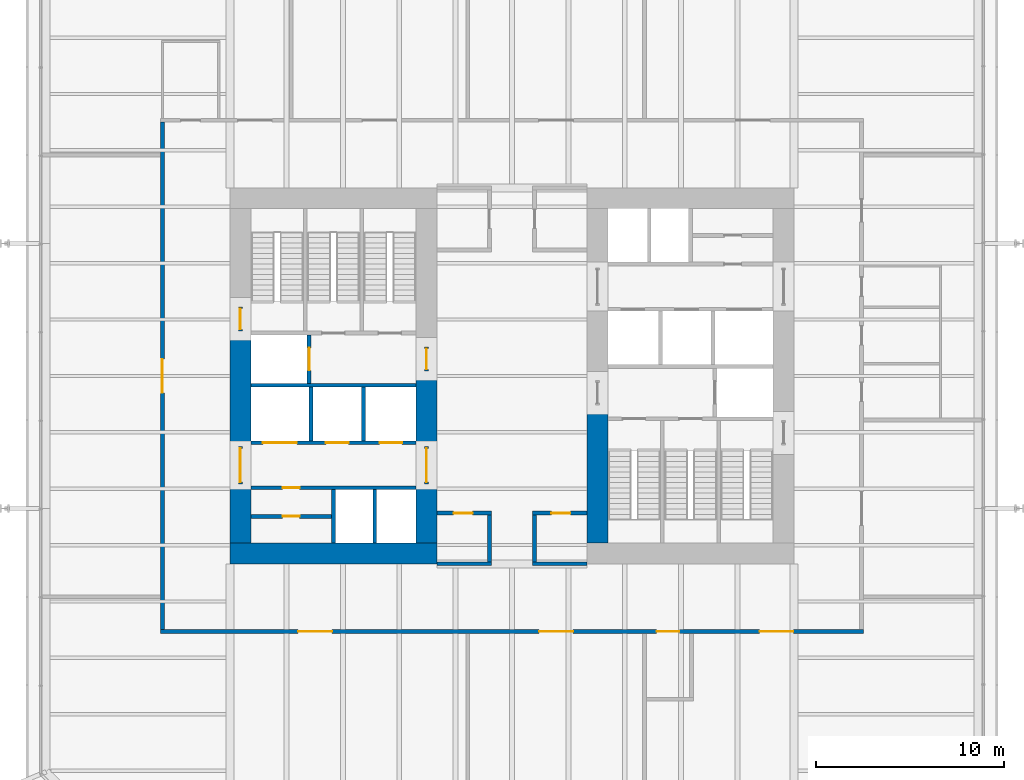
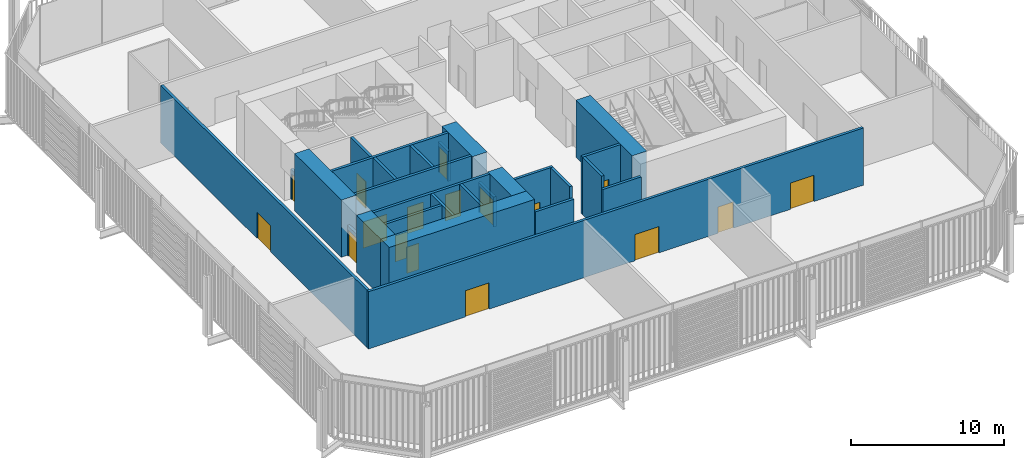
# One storey, part 18 of 22: 27 walls, 17 doors, 17 openings.
"""IFC4 building model written with IfcOpenShell, lengths in metres."""

from ifc_helpers import new_model, si_unit, direction, frame, frame_2d, origin, place, context, subcontext, project, spatial, rectangle, extrude, material, layer, layer_set, type_object, element, fill, save


model = new_model("IFC4")

# Units and contexts
model_context = context("Model", 3, precision=1e-05, world=origin(), true_north=direction((0.0, 1.0)))
body_context = subcontext(model_context, "Body", "Model", "MODEL_VIEW")
ifc_project = project(units=[si_unit("LENGTHUNIT", "METRE"), si_unit("AREAUNIT", "SQUARE_METRE"), si_unit("VOLUMEUNIT", "CUBIC_METRE"), si_unit("PLANEANGLEUNIT", "RADIAN"), si_unit("MASSUNIT", "GRAM", prefix="KILO")], contexts=[model_context])

# Site, building, storey
site_placement = place(None, origin())
site = spatial("IfcSite", under=ifc_project, at=site_placement, CompositionType="ELEMENT")
building_placement = place(site_placement, origin())
building = spatial("IfcBuilding", under=site, at=building_placement, Name="Millrace Tower", CompositionType="ELEMENT")
storey_placement = place(building_placement, frame((0.0, 0.0, 40.10009765625)))
storey = spatial("IfcBuildingStorey", under=building, at=storey_placement, Name="L09", CompositionType="ELEMENT", Elevation=40.10009765625)

# Walls
ifc_material_1 = material(Name="Concrete C80", Category="concrete")
ifc_layer_1 = layer(ifc_material_1, 1.10009765625)
ifc_layer_set_1 = layer_set([ifc_layer_1], Name="Concrete C80")
wall_type_1 = type_object("IfcWallType", Name="Core wall 1100 Concrete C80", PredefinedType="SHEAR", material=ifc_layer_set_1)
wall_1_placement = place(storey_placement, frame((-15.0, -9.449951171875, 0.0), z_axis=(0.0, 0.0, 1.0), x_axis=(1.0, 0.0, 0.0)))
element("IfcWall", 1, at=wall_1_placement, inside=storey, type_object=wall_type_1, Name="Core wall W L09", PredefinedType="SHEAR", context=body_context, shape_type="SweptSolid", body=[
    extrude(rectangle(XDim=11.0, YDim=1.10009765625, at=frame_2d((5.5, 0.0))), origin(), (0.0, 0.0, 1.0), 4.574951171875),
])
wall_2_placement = place(storey_placement, frame((-14.449951171875, -8.89990234375, 0.0), z_axis=(0.0, 0.0, 1.0), x_axis=(0.0, 1.0, 0.0)))
element("IfcWall", 2, at=wall_2_placement, inside=storey, type_object=wall_type_1, Name="Core wall W L09", PredefinedType="SHEAR", context=body_context, shape_type="SweptSolid", body=[
    extrude(rectangle(XDim=3.14990234375, YDim=1.10009765625, at=frame_2d((1.574951171875, 0.0))), origin(), (0.0, 0.0, 1.0), 4.574951171875),
])
wall_3_placement = place(storey_placement, frame((-14.449951171875, -3.75, 0.0), z_axis=(0.0, 0.0, 1.0), x_axis=(0.0, 1.0, 0.0)))
element("IfcWall", 3, at=wall_3_placement, inside=storey, type_object=wall_type_1, Name="Core wall W L09", PredefinedType="SHEAR", context=body_context, shape_type="SweptSolid", body=[
    extrude(rectangle(XDim=6.1298828125, YDim=1.10009765625, at=frame_2d((3.06494140625, 0.0))), origin(), (0.0, 0.0, 1.0), 4.574951171875),
])
wall_4_placement = place(storey_placement, frame((-4.550048828125, -8.89990234375, 0.0), z_axis=(0.0, 0.0, 1.0), x_axis=(0.0, 1.0, 0.0)))
element("IfcWall", 4, at=wall_4_placement, inside=storey, type_object=wall_type_1, Name="Core wall W L09", PredefinedType="SHEAR", context=body_context, shape_type="SweptSolid", body=[
    extrude(rectangle(XDim=3.14990234375, YDim=1.10009765625, at=frame_2d((1.574951171875, 0.0))), origin(), (0.0, 0.0, 1.0), 4.574951171875),
])
wall_5_placement = place(storey_placement, frame((-4.550048828125, -3.75, 0.0), z_axis=(0.0, 0.0, 1.0), x_axis=(0.0, 1.0, 0.0)))
element("IfcWall", 5, at=wall_5_placement, inside=storey, type_object=wall_type_1, Name="Core wall W L09", PredefinedType="SHEAR", context=body_context, shape_type="SweptSolid", body=[
    extrude(rectangle(XDim=4.0, YDim=1.10009765625, at=frame_2d((2.0, 0.0))), origin(), (0.0, 0.0, 1.0), 4.574951171875),
])
wall_6_placement = place(storey_placement, frame((4.550048828125, -1.550048828125, 0.0), z_axis=(0.0, 0.0, 1.0), x_axis=(0.0, -1.0, 0.0)))
element("IfcWall", 6, at=wall_6_placement, inside=storey, type_object=wall_type_1, Name="Core wall E L09", PredefinedType="SHEAR", context=body_context, shape_type="SweptSolid", body=[
    extrude(rectangle(XDim=7.349853515625, YDim=1.10009765625, at=frame_2d((3.6748046875, 0.0))), origin(), (0.0, 0.0, 1.0), 4.574951171875),
])

# Wall, openings, doors
ifc_material_2 = material(Name="Masonry partition, fire-rated", Category="masonry")
ifc_layer_2 = layer(ifc_material_2, 0.199951171875)
ifc_layer_set_2 = layer_set([ifc_layer_2], Name="Masonry partition, fire-rated")
wall_type_2 = type_object("IfcWallType", Name="Corridor wall 200", PredefinedType="PARTITIONING", material=ifc_layer_set_2)
wall_7_placement = place(storey_placement, frame((-18.699951171875, -13.60009765625, 0.0), z_axis=(0.0, 0.0, 1.0), x_axis=(1.0, 0.0, 0.0)))
wall_7 = element("IfcWall", 7, at=wall_7_placement, inside=storey, type_object=wall_type_2, Name="Corridor wall L09", PredefinedType="PARTITIONING", context=body_context, shape_type="SweptSolid", body=[
    extrude(rectangle(XDim=37.39990234375, YDim=0.199951171875, at=frame_2d((18.699951171875, 0.0))), origin(), (0.0, 0.0, 1.0), 4.574951171875),
])
opening_1_placement = place(wall_7_placement, frame((7.324951171875, 0.0, 0.0)))
opening_1 = element("IfcOpeningElement", 8, at=opening_1_placement, cuts=wall_7, Name="Opening 09-P005", PredefinedType="OPENING", context=body_context, shape_type="SweptSolid", body=[
    extrude(rectangle(XDim=1.800048828125, YDim=2.10009765625, at=frame_2d((0.89990234375, 1.050048828125))), frame((0.0, 0.10986328125, 0.0), z_axis=(0.0, -1.0, 0.0), x_axis=(1.0, 0.0, 0.0)), (0.0, 0.0, 1.0), 0.219970703125),
])
opening_2_placement = place(wall_7_placement, frame((20.14990234375, 0.0, 0.0)))
opening_2 = element("IfcOpeningElement", 9, at=opening_2_placement, cuts=wall_7, Name="Opening 09-P006", PredefinedType="OPENING", context=body_context, shape_type="SweptSolid", body=[
    extrude(rectangle(XDim=1.800048828125, YDim=2.10009765625, at=frame_2d((0.89990234375, 1.050048828125))), frame((0.0, 0.10986328125, 0.0), z_axis=(0.0, -1.0, 0.0), x_axis=(1.0, 0.0, 0.0)), (0.0, 0.0, 1.0), 0.219970703125),
])
opening_3_placement = place(wall_7_placement, frame((31.875, 0.0, 0.0)))
opening_3 = element("IfcOpeningElement", 10, at=opening_3_placement, cuts=wall_7, Name="Opening 09-P007", PredefinedType="OPENING", context=body_context, shape_type="SweptSolid", body=[
    extrude(rectangle(XDim=1.800048828125, YDim=2.10009765625, at=frame_2d((0.89990234375, 1.050048828125))), frame((0.0, 0.10986328125, 0.0), z_axis=(0.0, -1.0, 0.0), x_axis=(1.0, 0.0, 0.0)), (0.0, 0.0, 1.0), 0.219970703125),
])
opening_4_placement = place(wall_7_placement, frame((26.39990234375, 0.0, 0.0)))
opening_4 = element("IfcOpeningElement", 11, at=opening_4_placement, cuts=wall_7, Name="Opening 09-P008", PredefinedType="OPENING", context=body_context, shape_type="SweptSolid", body=[
    extrude(rectangle(XDim=1.199951171875, YDim=2.10009765625, at=frame_2d((0.60009765625, 1.050048828125))), frame((0.0, 0.10986328125, 0.0), z_axis=(0.0, -1.0, 0.0), x_axis=(1.0, 0.0, 0.0)), (0.0, 0.0, 1.0), 0.219970703125),
])
ifc_material_3 = material(Name="Steel door set, fire-rated", Category="steel")
door_type_1 = type_object("IfcDoorType", Name="Corridor door 1200 x 2100", OperationType="SINGLE_SWING_LEFT", PredefinedType="DOOR", material=ifc_material_3)
door_1_placement = place(opening_4_placement, frame((1.199951171875, 0.0, 0.0), z_axis=(0.0, 0.0, 1.0), x_axis=(-1.0, 0.0, 0.0)))
door_1 = element("IfcDoor", 12, at=door_1_placement, inside=storey, type_object=door_type_1, Name="Door 09-P008", OperationType="SINGLE_SWING_LEFT", OverallHeight=2.10009765625, OverallWidth=1.199951171875, PredefinedType="DOOR", context=body_context, shape_type="SweptSolid", body=[
    extrude(rectangle(XDim=1.199951171875, YDim=2.10009765625, at=frame_2d((0.60009765625, 1.050048828125))), frame((0.0, 0.02490234375, 0.0), z_axis=(0.0, -1.0, 0.0), x_axis=(1.0, 0.0, 0.0)), (0.0, 0.0, 1.0), 0.050048828125),
])
fill(opening_4, door_1)
ifc_material_4 = material(Name="Steel door set, fire-rated", Category="steel")
door_type_2 = type_object("IfcDoorType", Name="Data hall door 1800 x 2100", OperationType="DOUBLE_DOOR_SINGLE_SWING", PredefinedType="DOOR", material=ifc_material_4)
door_2_placement = place(opening_1_placement, frame((1.800048828125, 0.0, 0.0), z_axis=(0.0, 0.0, 1.0), x_axis=(-1.0, 0.0, 0.0)))
door_2 = element("IfcDoor", 13, at=door_2_placement, inside=storey, type_object=door_type_2, Name="Door 09-P005", OperationType="DOUBLE_DOOR_SINGLE_SWING", OverallHeight=2.10009765625, OverallWidth=1.800048828125, PredefinedType="DOOR", context=body_context, shape_type="SweptSolid", body=[
    extrude(rectangle(XDim=1.800048828125, YDim=2.10009765625, at=frame_2d((0.89990234375, 1.050048828125))), frame((0.0, 0.02490234375, 0.0), z_axis=(0.0, -1.0, 0.0), x_axis=(1.0, 0.0, 0.0)), (0.0, 0.0, 1.0), 0.050048828125),
])
fill(opening_1, door_2)
door_3_placement = place(opening_2_placement, frame((1.800048828125, 0.0, 0.0), z_axis=(0.0, 0.0, 1.0), x_axis=(-1.0, 0.0, 0.0)))
door_3 = element("IfcDoor", 14, at=door_3_placement, inside=storey, type_object=door_type_2, Name="Door 09-P006", OperationType="DOUBLE_DOOR_SINGLE_SWING", OverallHeight=2.10009765625, OverallWidth=1.800048828125, PredefinedType="DOOR", context=body_context, shape_type="SweptSolid", body=[
    extrude(rectangle(XDim=1.800048828125, YDim=2.10009765625, at=frame_2d((0.89990234375, 1.050048828125))), frame((0.0, 0.02490234375, 0.0), z_axis=(0.0, -1.0, 0.0), x_axis=(1.0, 0.0, 0.0)), (0.0, 0.0, 1.0), 0.050048828125),
])
fill(opening_2, door_3)
door_4_placement = place(opening_3_placement, frame((1.800048828125, 0.0, 0.0), z_axis=(0.0, 0.0, 1.0), x_axis=(-1.0, 0.0, 0.0)))
door_4 = element("IfcDoor", 15, at=door_4_placement, inside=storey, type_object=door_type_2, Name="Door 09-P007", OperationType="DOUBLE_DOOR_SINGLE_SWING", OverallHeight=2.10009765625, OverallWidth=1.800048828125, PredefinedType="DOOR", context=body_context, shape_type="SweptSolid", body=[
    extrude(rectangle(XDim=1.800048828125, YDim=2.10009765625, at=frame_2d((0.89990234375, 1.050048828125))), frame((0.0, 0.02490234375, 0.0), z_axis=(0.0, -1.0, 0.0), x_axis=(1.0, 0.0, 0.0)), (0.0, 0.0, 1.0), 0.050048828125),
])
fill(opening_3, door_4)

# Walls
for number, where, z_axis, x_axis, name in (
    (16, (-4.0, -10.0, 0.0), (0.0, 0.0, 1.0), (1.0, 0.0, 0.0), "Corridor wall L09"),
    (17, (1.10009765625, -10.0, 0.0), (0.0, 0.0, 1.0), (1.0, 0.0, 0.0), "Corridor wall L09"),
):
    element("IfcWall", number, at=place(storey_placement, frame(where, z_axis=z_axis, x_axis=x_axis)), inside=storey, type_object=wall_type_2, Name=name, PredefinedType="PARTITIONING", context=body_context, shape_type="SweptSolid", body=[
        extrude(rectangle(XDim=2.89990234375, YDim=0.199951171875, at=frame_2d((1.449951171875, 0.0))), origin(), (0.0, 0.0, 1.0), 3.62744140625),
    ])

# Wall, opening, door
wall_8_placement = place(storey_placement, frame((-4.0, -7.300048828125, 0.0), z_axis=(0.0, 0.0, 1.0), x_axis=(1.0, 0.0, 0.0)))
wall_8 = element("IfcWall", 18, at=wall_8_placement, inside=storey, type_object=wall_type_2, Name="Corridor wall L09", PredefinedType="PARTITIONING", context=body_context, shape_type="SweptSolid", body=[
    extrude(rectangle(XDim=2.89990234375, YDim=0.199951171875, at=frame_2d((1.449951171875, 0.0))), origin(), (0.0, 0.0, 1.0), 4.574951171875),
])
opening_5_placement = place(wall_8_placement, frame((0.89990234375, 0.0, 0.0)))
opening_5 = element("IfcOpeningElement", 19, at=opening_5_placement, cuts=wall_8, Name="Opening 09-P003", PredefinedType="OPENING", context=body_context, shape_type="SweptSolid", body=[
    extrude(rectangle(XDim=1.0, YDim=2.10009765625, at=frame_2d((0.5, 1.050048828125))), frame((0.0, 0.10986328125, 0.0), z_axis=(0.0, -1.0, 0.0), x_axis=(1.0, 0.0, 0.0)), (0.0, 0.0, 1.0), 0.219970703125),
])
ifc_material_5 = material(Name="Steel door set, fire-rated", Category="steel")
door_type_3 = type_object("IfcDoorType", Name="Corridor door 1000 x 2100", OperationType="SINGLE_SWING_LEFT", PredefinedType="DOOR", material=ifc_material_5)
door_5_placement = place(opening_5_placement, frame((1.0, 0.0, 0.0), z_axis=(0.0, 0.0, 1.0), x_axis=(-1.0, 0.0, 0.0)))
door_5 = element("IfcDoor", 20, at=door_5_placement, inside=storey, type_object=door_type_3, Name="Door 09-P003", OperationType="SINGLE_SWING_LEFT", OverallHeight=2.10009765625, OverallWidth=1.0, PredefinedType="DOOR", context=body_context, shape_type="SweptSolid", body=[
    extrude(rectangle(XDim=1.0, YDim=2.10009765625, at=frame_2d((0.5, 1.050048828125))), frame((0.0, 0.02490234375, 0.0), z_axis=(0.0, -1.0, 0.0), x_axis=(1.0, 0.0, 0.0)), (0.0, 0.0, 1.0), 0.050048828125),
])
fill(opening_5, door_5)

wall_9_placement = place(storey_placement, frame((1.10009765625, -7.300048828125, 0.0), z_axis=(0.0, 0.0, 1.0), x_axis=(1.0, 0.0, 0.0)))
wall_9 = element("IfcWall", 21, at=wall_9_placement, inside=storey, type_object=wall_type_2, Name="Corridor wall L09", PredefinedType="PARTITIONING", context=body_context, shape_type="SweptSolid", body=[
    extrude(rectangle(XDim=2.89990234375, YDim=0.199951171875, at=frame_2d((1.449951171875, 0.0))), origin(), (0.0, 0.0, 1.0), 4.574951171875),
])
opening_6_placement = place(wall_9_placement, frame((1.0, 0.0, 0.0)))
opening_6 = element("IfcOpeningElement", 22, at=opening_6_placement, cuts=wall_9, Name="Opening 09-P004", PredefinedType="OPENING", context=body_context, shape_type="SweptSolid", body=[
    extrude(rectangle(XDim=1.0, YDim=2.10009765625, at=frame_2d((0.5, 1.050048828125))), frame((0.0, 0.10986328125, 0.0), z_axis=(0.0, -1.0, 0.0), x_axis=(1.0, 0.0, 0.0)), (0.0, 0.0, 1.0), 0.219970703125),
])
door_6_placement = place(opening_6_placement, frame((1.0, 0.0, 0.0), z_axis=(0.0, 0.0, 1.0), x_axis=(-1.0, 0.0, 0.0)))
door_6 = element("IfcDoor", 23, at=door_6_placement, inside=storey, type_object=door_type_3, Name="Door 09-P004", OperationType="SINGLE_SWING_LEFT", OverallHeight=2.10009765625, OverallWidth=1.0, PredefinedType="DOOR", context=body_context, shape_type="SweptSolid", body=[
    extrude(rectangle(XDim=1.0, YDim=2.10009765625, at=frame_2d((0.5, 1.050048828125))), frame((0.0, 0.02490234375, 0.0), z_axis=(0.0, -1.0, 0.0), x_axis=(1.0, 0.0, 0.0)), (0.0, 0.0, 1.0), 0.050048828125),
])
fill(opening_6, door_6)

# Walls
for number, where, z_axis, x_axis, name in (
    (24, (1.199951171875, -9.89990234375, 0.0), (0.0, 0.0, 1.0), (0.0, 1.0, 0.0), "Corridor wall L09"),
    (25, (-1.199951171875, -9.89990234375, 0.0), (0.0, 0.0, 1.0), (0.0, 1.0, 0.0), "Corridor wall L09"),
):
    element("IfcWall", number, at=place(storey_placement, frame(where, z_axis=z_axis, x_axis=x_axis)), inside=storey, type_object=wall_type_2, Name=name, PredefinedType="PARTITIONING", context=body_context, shape_type="SweptSolid", body=[
        extrude(rectangle(XDim=2.5, YDim=0.199951171875, at=frame_2d((1.25, 0.0))), origin(), (0.0, 0.0, 1.0), 4.574951171875),
    ])

# Wall, opening, door
wall_10_placement = place(storey_placement, frame((-18.60009765625, -13.5, 0.0), z_axis=(0.0, 0.0, 1.0), x_axis=(0.0, 1.0, 0.0)))
wall_10 = element("IfcWall", 26, at=wall_10_placement, inside=storey, type_object=wall_type_2, Name="Corridor wall L09", PredefinedType="PARTITIONING", context=body_context, shape_type="SweptSolid", body=[
    extrude(rectangle(XDim=27.0, YDim=0.199951171875, at=frame_2d((13.5, 0.0))), origin(), (0.0, 0.0, 1.0), 4.574951171875),
])
opening_7_placement = place(wall_10_placement, frame((12.60009765625, 0.0, 0.0)))
opening_7 = element("IfcOpeningElement", 27, at=opening_7_placement, cuts=wall_10, Name="Opening 09-P016", PredefinedType="OPENING", context=body_context, shape_type="SweptSolid", body=[
    extrude(rectangle(XDim=1.800048828125, YDim=2.10009765625, at=frame_2d((0.89990234375, 1.050048828125))), frame((0.0, 0.10986328125, 0.0), z_axis=(0.0, -1.0, 0.0), x_axis=(1.0, 0.0, 0.0)), (0.0, 0.0, 1.0), 0.219970703125),
])
door_7_placement = place(opening_7_placement, origin())
door_7 = element("IfcDoor", 28, at=door_7_placement, inside=storey, type_object=door_type_2, Name="Door 09-P016", OperationType="DOUBLE_DOOR_SINGLE_SWING", OverallHeight=2.10009765625, OverallWidth=1.800048828125, PredefinedType="DOOR", context=body_context, shape_type="SweptSolid", body=[
    extrude(rectangle(XDim=1.800048828125, YDim=2.10009765625, at=frame_2d((0.89990234375, 1.050048828125))), frame((0.0, 0.02490234375, 0.0), z_axis=(0.0, -1.0, 0.0), x_axis=(1.0, 0.0, 0.0)), (0.0, 0.0, 1.0), 0.050048828125),
])
fill(opening_7, door_7)

ifc_material_6 = material(Name="Masonry partition, fire-rated", Category="masonry")
ifc_layer_3 = layer(ifc_material_6, 0.199951171875)
ifc_layer_set_3 = layer_set([ifc_layer_3], Name="Masonry partition, fire-rated")
wall_type_3 = type_object("IfcWallType", Name="Lift shaft wall 200", PredefinedType="PARTITIONING", material=ifc_layer_set_3)
wall_11_placement = place(storey_placement, frame((-13.89990234375, -5.949951171875, 0.0), z_axis=(0.0, 0.0, 1.0), x_axis=(1.0, 0.0, 0.0)))
wall_11 = element("IfcWall", 29, at=wall_11_placement, inside=storey, type_object=wall_type_3, Name="Lift shaft wall W L09", PredefinedType="PARTITIONING", context=body_context, shape_type="SweptSolid", body=[
    extrude(rectangle(XDim=8.7998046875, YDim=0.199951171875, at=frame_2d((4.39990234375, 0.0))), origin(), (0.0, 0.0, 1.0), 4.574951171875),
])
opening_8_placement = place(wall_11_placement, frame((1.699951171875, 0.0, 0.0)))
opening_8 = element("IfcOpeningElement", 30, at=opening_8_placement, cuts=wall_11, Name="Opening 09-C005", PredefinedType="OPENING", context=body_context, shape_type="SweptSolid", body=[
    extrude(rectangle(XDim=0.89990234375, YDim=2.10009765625, at=frame_2d((0.449951171875, 1.050048828125))), frame((0.0, 0.10986328125, 0.0), z_axis=(0.0, -1.0, 0.0), x_axis=(1.0, 0.0, 0.0)), (0.0, 0.0, 1.0), 0.219970703125),
])
ifc_material_7 = material(Name="Steel door, fire-rated", Category="steel")
door_type_4 = type_object("IfcDoorType", Name="Service room door 900 x 2100", OperationType="SINGLE_SWING_LEFT", PredefinedType="DOOR", material=ifc_material_7)
door_8_placement = place(opening_8_placement, origin())
door_8 = element("IfcDoor", 31, at=door_8_placement, inside=storey, type_object=door_type_4, Name="Service room door 09-C005", OperationType="SINGLE_SWING_LEFT", OverallHeight=2.10009765625, OverallWidth=0.89990234375, PredefinedType="DOOR", context=body_context, shape_type="SweptSolid", body=[
    extrude(rectangle(XDim=0.89990234375, YDim=2.10009765625, at=frame_2d((0.449951171875, 1.050048828125))), frame((0.0, 0.02490234375, 0.0), z_axis=(0.0, -1.0, 0.0), x_axis=(1.0, 0.0, 0.0)), (0.0, 0.0, 1.0), 0.050048828125),
])
fill(opening_8, door_8)

# Wall, openings, doors
wall_12_placement = place(storey_placement, frame((-13.89990234375, -3.550048828125, 0.0), z_axis=(0.0, 0.0, 1.0), x_axis=(1.0, 0.0, 0.0)))
wall_12 = element("IfcWall", 32, at=wall_12_placement, inside=storey, type_object=wall_type_3, Name="Lift shaft wall W L09", PredefinedType="PARTITIONING", context=body_context, shape_type="SweptSolid", body=[
    extrude(rectangle(XDim=8.7998046875, YDim=0.199951171875, at=frame_2d((4.39990234375, 0.0))), origin(), (0.0, 0.0, 1.0), 4.574951171875),
])
opening_9_placement = place(wall_12_placement, frame((0.64990234375, 0.0, 0.0)))
opening_9 = element("IfcOpeningElement", 33, at=opening_9_placement, cuts=wall_12, Name="Opening 09-LD05", PredefinedType="OPENING", context=body_context, shape_type="SweptSolid", body=[
    extrude(rectangle(XDim=1.800048828125, YDim=2.10009765625, at=frame_2d((0.89990234375, 1.050048828125))), frame((0.0, 0.10986328125, 0.0), z_axis=(0.0, -1.0, 0.0), x_axis=(1.0, 0.0, 0.0)), (0.0, 0.0, 1.0), 0.219970703125),
])
opening_10_placement = place(wall_12_placement, frame((4.0, 0.0, 0.0)))
opening_10 = element("IfcOpeningElement", 34, at=opening_10_placement, cuts=wall_12, Name="Opening 09-LD06", PredefinedType="OPENING", context=body_context, shape_type="SweptSolid", body=[
    extrude(rectangle(XDim=1.199951171875, YDim=2.10009765625, at=frame_2d((0.60009765625, 1.050048828125))), frame((0.0, 0.10986328125, 0.0), z_axis=(0.0, -1.0, 0.0), x_axis=(1.0, 0.0, 0.0)), (0.0, 0.0, 1.0), 0.219970703125),
])
opening_11_placement = place(wall_12_placement, frame((6.85009765625, 0.0, 0.0)))
opening_11 = element("IfcOpeningElement", 35, at=opening_11_placement, cuts=wall_12, Name="Opening 09-LD07", PredefinedType="OPENING", context=body_context, shape_type="SweptSolid", body=[
    extrude(rectangle(XDim=1.199951171875, YDim=2.10009765625, at=frame_2d((0.60009765625, 1.050048828125))), frame((0.0, 0.10986328125, 0.0), z_axis=(0.0, -1.0, 0.0), x_axis=(1.0, 0.0, 0.0)), (0.0, 0.0, 1.0), 0.219970703125),
])
ifc_material_8 = material(Name="Stainless steel, fire-rated", Category="steel")
door_type_5 = type_object("IfcDoorType", Name="Lift landing door 1200 x 2100", OperationType="DOUBLE_DOOR_SLIDING", PredefinedType="DOOR", material=ifc_material_8)
door_9_placement = place(opening_10_placement, origin())
door_9 = element("IfcDoor", 36, at=door_9_placement, inside=storey, type_object=door_type_5, Name="Lift landing door LF6 L09", OperationType="DOUBLE_DOOR_SLIDING", OverallHeight=2.10009765625, OverallWidth=1.199951171875, PredefinedType="DOOR", context=body_context, shape_type="SweptSolid", body=[
    extrude(rectangle(XDim=1.199951171875, YDim=2.10009765625, at=frame_2d((0.60009765625, 1.050048828125))), frame((0.0, 0.02490234375, 0.0), z_axis=(0.0, -1.0, 0.0), x_axis=(1.0, 0.0, 0.0)), (0.0, 0.0, 1.0), 0.050048828125),
])
fill(opening_10, door_9)
door_10_placement = place(opening_11_placement, origin())
door_10 = element("IfcDoor", 37, at=door_10_placement, inside=storey, type_object=door_type_5, Name="Lift landing door LF7 L09", OperationType="DOUBLE_DOOR_SLIDING", OverallHeight=2.10009765625, OverallWidth=1.199951171875, PredefinedType="DOOR", context=body_context, shape_type="SweptSolid", body=[
    extrude(rectangle(XDim=1.199951171875, YDim=2.10009765625, at=frame_2d((0.60009765625, 1.050048828125))), frame((0.0, 0.02490234375, 0.0), z_axis=(0.0, -1.0, 0.0), x_axis=(1.0, 0.0, 0.0)), (0.0, 0.0, 1.0), 0.050048828125),
])
fill(opening_11, door_10)
ifc_material_9 = material(Name="Stainless steel, fire-rated", Category="steel")
door_type_6 = type_object("IfcDoorType", Name="Lift landing door 1800 x 2100", OperationType="DOUBLE_DOOR_SLIDING", PredefinedType="DOOR", material=ifc_material_9)
door_11_placement = place(opening_9_placement, origin())
door_11 = element("IfcDoor", 38, at=door_11_placement, inside=storey, type_object=door_type_6, Name="Lift landing door LF5 L09", OperationType="DOUBLE_DOOR_SLIDING", OverallHeight=2.10009765625, OverallWidth=1.800048828125, PredefinedType="DOOR", context=body_context, shape_type="SweptSolid", body=[
    extrude(rectangle(XDim=1.800048828125, YDim=2.10009765625, at=frame_2d((0.89990234375, 1.050048828125))), frame((0.0, 0.02490234375, 0.0), z_axis=(0.0, -1.0, 0.0), x_axis=(1.0, 0.0, 0.0)), (0.0, 0.0, 1.0), 0.050048828125),
])
fill(opening_9, door_11)

# Wall
wall_13_placement = place(storey_placement, frame((-13.89990234375, -0.5, 0.0), z_axis=(0.0, 0.0, 1.0), x_axis=(1.0, 0.0, 0.0)))
element("IfcWall", 39, at=wall_13_placement, inside=storey, type_object=wall_type_3, Name="Lift shaft wall W L09", PredefinedType="PARTITIONING", context=body_context, shape_type="SweptSolid", body=[
    extrude(rectangle(XDim=8.7998046875, YDim=0.199951171875, at=frame_2d((4.39990234375, 0.0))), origin(), (0.0, 0.0, 1.0), 4.574951171875),
])

# Wall, opening, door
wall_14_placement = place(storey_placement, frame((-10.800048828125, -0.39990234375, 0.0), z_axis=(0.0, 0.0, 1.0), x_axis=(0.0, 1.0, 0.0)))
wall_14 = element("IfcWall", 40, at=wall_14_placement, inside=storey, type_object=wall_type_3, Name="Lift shaft wall W L09", PredefinedType="PARTITIONING", context=body_context, shape_type="SweptSolid", body=[
    extrude(rectangle(XDim=2.579833984375, YDim=0.199951171875, at=frame_2d((1.2900390625, 0.0))), origin(), (0.0, 0.0, 1.0), 4.574951171875),
])
opening_12_placement = place(wall_14_placement, frame((0.68994140625, 0.0, 0.0)))
opening_12 = element("IfcOpeningElement", 41, at=opening_12_placement, cuts=wall_14, Name="Opening 09-LD08", PredefinedType="OPENING", context=body_context, shape_type="SweptSolid", body=[
    extrude(rectangle(XDim=1.199951171875, YDim=2.10009765625, at=frame_2d((0.60009765625, 1.050048828125))), frame((0.0, 0.10986328125, 0.0), z_axis=(0.0, -1.0, 0.0), x_axis=(1.0, 0.0, 0.0)), (0.0, 0.0, 1.0), 0.219970703125),
])
door_12_placement = place(opening_12_placement, origin())
door_12 = element("IfcDoor", 42, at=door_12_placement, inside=storey, type_object=door_type_5, Name="Lift landing door LF8 L09", OperationType="DOUBLE_DOOR_SLIDING", OverallHeight=2.10009765625, OverallWidth=1.199951171875, PredefinedType="DOOR", context=body_context, shape_type="SweptSolid", body=[
    extrude(rectangle(XDim=1.199951171875, YDim=2.10009765625, at=frame_2d((0.60009765625, 1.050048828125))), frame((0.0, 0.02490234375, 0.0), z_axis=(0.0, -1.0, 0.0), x_axis=(1.0, 0.0, 0.0)), (0.0, 0.0, 1.0), 0.050048828125),
])
fill(opening_12, door_12)

# Walls
for number, where, z_axis, x_axis, name in (
    (43, (-9.5, -8.89990234375, 0.0), (0.0, 0.0, 1.0), (0.0, 1.0, 0.0), "Lift shaft wall W L09"),
    (44, (-7.300048828125, -8.89990234375, 0.0), (0.0, 0.0, 1.0), (0.0, 1.0, 0.0), "Lift shaft wall W L09"),
    (45, (-10.699951171875, -3.449951171875, 0.0), (0.0, 0.0, 1.0), (0.0, 1.0, 0.0), "Lift shaft wall W L09"),
    (46, (-7.89990234375, -3.449951171875, 0.0), (0.0, 0.0, 1.0), (0.0, 1.0, 0.0), "Lift shaft wall W L09"),
):
    element("IfcWall", number, at=place(storey_placement, frame(where, z_axis=z_axis, x_axis=x_axis)), inside=storey, type_object=wall_type_3, Name=name, PredefinedType="PARTITIONING", context=body_context, shape_type="SweptSolid", body=[
        extrude(rectangle(XDim=2.849853515625, YDim=0.199951171875, at=frame_2d((1.4248046875, 0.0))), origin(), (0.0, 0.0, 1.0), 4.574951171875),
    ])

# Wall, opening, door
ifc_material_10 = material(Name="Masonry partition, fire-rated", Category="masonry")
ifc_layer_4 = layer(ifc_material_10, 0.199951171875)
ifc_layer_set_4 = layer_set([ifc_layer_4], Name="Masonry partition, fire-rated")
wall_type_4 = type_object("IfcWallType", Name="Lobby wall 200", PredefinedType="PARTITIONING", material=ifc_layer_set_4)
wall_15_placement = place(storey_placement, frame((-14.449951171875, -5.75, 0.0), z_axis=(0.0, 0.0, 1.0), x_axis=(0.0, 1.0, 0.0)))
wall_15 = element("IfcWall", 47, at=wall_15_placement, inside=storey, type_object=wall_type_4, Name="Lobby wall W L09", PredefinedType="PARTITIONING", context=body_context, shape_type="SweptSolid", body=[
    extrude(rectangle(XDim=2.0, YDim=0.199951171875, at=frame_2d((1.0, 0.0))), origin(), (0.0, 0.0, 1.0), 2.39990234375),
])
opening_13_placement = place(wall_15_placement, frame((0.10009765625, 0.0, 0.0)))
opening_13 = element("IfcOpeningElement", 48, at=opening_13_placement, cuts=wall_15, Name="Opening 09-C001", PredefinedType="OPENING", context=body_context, shape_type="SweptSolid", body=[
    extrude(rectangle(XDim=1.800048828125, YDim=2.10009765625, at=frame_2d((0.89990234375, 1.050048828125))), frame((0.0, 0.10986328125, 0.0), z_axis=(0.0, -1.0, 0.0), x_axis=(1.0, 0.0, 0.0)), (0.0, 0.0, 1.0), 0.219970703125),
])
ifc_material_11 = material(Name="Steel door, fire-rated", Category="steel")
door_type_7 = type_object("IfcDoorType", Name="Lobby door 1800 x 2100", OperationType="DOUBLE_DOOR_SINGLE_SWING", PredefinedType="DOOR", material=ifc_material_11)
door_13_placement = place(opening_13_placement, origin())
door_13 = element("IfcDoor", 49, at=door_13_placement, inside=storey, type_object=door_type_7, Name="Lobby door 09-C001", OperationType="DOUBLE_DOOR_SINGLE_SWING", OverallHeight=2.10009765625, OverallWidth=1.800048828125, PredefinedType="DOOR", context=body_context, shape_type="SweptSolid", body=[
    extrude(rectangle(XDim=1.800048828125, YDim=2.10009765625, at=frame_2d((0.89990234375, 1.050048828125))), frame((0.0, 0.02490234375, 0.0), z_axis=(0.0, -1.0, 0.0), x_axis=(1.0, 0.0, 0.0)), (0.0, 0.0, 1.0), 0.050048828125),
])
fill(opening_13, door_13)

wall_16_placement = place(storey_placement, frame((-4.550048828125, -5.75, 0.0), z_axis=(0.0, 0.0, 1.0), x_axis=(0.0, 1.0, 0.0)))
wall_16 = element("IfcWall", 50, at=wall_16_placement, inside=storey, type_object=wall_type_4, Name="Lobby wall W L09", PredefinedType="PARTITIONING", context=body_context, shape_type="SweptSolid", body=[
    extrude(rectangle(XDim=2.0, YDim=0.199951171875, at=frame_2d((1.0, 0.0))), origin(), (0.0, 0.0, 1.0), 2.39990234375),
])
opening_14_placement = place(wall_16_placement, frame((0.10009765625, 0.0, 0.0)))
opening_14 = element("IfcOpeningElement", 51, at=opening_14_placement, cuts=wall_16, Name="Opening 09-C003", PredefinedType="OPENING", context=body_context, shape_type="SweptSolid", body=[
    extrude(rectangle(XDim=1.800048828125, YDim=2.10009765625, at=frame_2d((0.89990234375, 1.050048828125))), frame((0.0, 0.10986328125, 0.0), z_axis=(0.0, -1.0, 0.0), x_axis=(1.0, 0.0, 0.0)), (0.0, 0.0, 1.0), 0.219970703125),
])
door_14_placement = place(opening_14_placement, origin())
door_14 = element("IfcDoor", 52, at=door_14_placement, inside=storey, type_object=door_type_7, Name="Lobby door 09-C003", OperationType="DOUBLE_DOOR_SINGLE_SWING", OverallHeight=2.10009765625, OverallWidth=1.800048828125, PredefinedType="DOOR", context=body_context, shape_type="SweptSolid", body=[
    extrude(rectangle(XDim=1.800048828125, YDim=2.10009765625, at=frame_2d((0.89990234375, 1.050048828125))), frame((0.0, 0.02490234375, 0.0), z_axis=(0.0, -1.0, 0.0), x_axis=(1.0, 0.0, 0.0)), (0.0, 0.0, 1.0), 0.050048828125),
])
fill(opening_14, door_14)

wall_17_placement = place(storey_placement, frame((-4.550048828125, 0.25, 0.0), z_axis=(0.0, 0.0, 1.0), x_axis=(0.0, 1.0, 0.0)))
wall_17 = element("IfcWall", 53, at=wall_17_placement, inside=storey, type_object=wall_type_4, Name="Lobby wall W L09", PredefinedType="PARTITIONING", context=body_context, shape_type="SweptSolid", body=[
    extrude(rectangle(XDim=1.300048828125, YDim=0.199951171875, at=frame_2d((0.64990234375, 0.0))), origin(), (0.0, 0.0, 1.0), 2.39990234375),
])
opening_15_placement = place(wall_17_placement, frame((0.10009765625, 0.0, 0.0)))
opening_15 = element("IfcOpeningElement", 54, at=opening_15_placement, cuts=wall_17, Name="Opening 09-C004", PredefinedType="OPENING", context=body_context, shape_type="SweptSolid", body=[
    extrude(rectangle(XDim=1.10009765625, YDim=2.10009765625, at=frame_2d((0.550048828125, 1.050048828125))), frame((0.0, 0.10986328125, 0.0), z_axis=(0.0, -1.0, 0.0), x_axis=(1.0, 0.0, 0.0)), (0.0, 0.0, 1.0), 0.219970703125),
])
ifc_material_12 = material(Name="Steel door, fire-rated", Category="steel")
door_type_8 = type_object("IfcDoorType", Name="Lobby door 1100 x 2100", OperationType="SINGLE_SWING_LEFT", PredefinedType="DOOR", material=ifc_material_12)
door_15_placement = place(opening_15_placement, origin())
door_15 = element("IfcDoor", 55, at=door_15_placement, inside=storey, type_object=door_type_8, Name="Lobby door 09-C004", OperationType="SINGLE_SWING_LEFT", OverallHeight=2.10009765625, OverallWidth=1.10009765625, PredefinedType="DOOR", context=body_context, shape_type="SweptSolid", body=[
    extrude(rectangle(XDim=1.10009765625, YDim=2.10009765625, at=frame_2d((0.550048828125, 1.050048828125))), frame((0.0, 0.02490234375, 0.0), z_axis=(0.0, -1.0, 0.0), x_axis=(1.0, 0.0, 0.0)), (0.0, 0.0, 1.0), 0.050048828125),
])
fill(opening_15, door_15)

ifc_material_13 = material(Name="Masonry partition, fire-rated", Category="masonry")
ifc_layer_5 = layer(ifc_material_13, 0.199951171875)
ifc_layer_set_5 = layer_set([ifc_layer_5], Name="Masonry partition, fire-rated")
wall_type_5 = type_object("IfcWallType", Name="Room partition 200", PredefinedType="PARTITIONING", material=ifc_layer_set_5)
wall_18_placement = place(storey_placement, frame((-13.89990234375, -7.47509765625, 0.0), z_axis=(0.0, 0.0, 1.0), x_axis=(1.0, 0.0, 0.0)))
wall_18 = element("IfcWall", 56, at=wall_18_placement, inside=storey, type_object=wall_type_5, Name="Room partition W L09", PredefinedType="PARTITIONING", context=body_context, shape_type="SweptSolid", body=[
    extrude(rectangle(XDim=4.2998046875, YDim=0.199951171875, at=frame_2d((2.14990234375, 0.0))), origin(), (0.0, 0.0, 1.0), 4.574951171875),
])
opening_16_placement = place(wall_18_placement, frame((1.699951171875, 0.0, 0.0)))
opening_16 = element("IfcOpeningElement", 57, at=opening_16_placement, cuts=wall_18, Name="Opening 09-C006", PredefinedType="OPENING", context=body_context, shape_type="SweptSolid", body=[
    extrude(rectangle(XDim=0.89990234375, YDim=2.10009765625, at=frame_2d((0.449951171875, 1.050048828125))), frame((0.0, 0.10986328125, 0.0), z_axis=(0.0, -1.0, 0.0), x_axis=(1.0, 0.0, 0.0)), (0.0, 0.0, 1.0), 0.219970703125),
])
door_16_placement = place(opening_16_placement, frame((0.89990234375, 0.0, 0.0), z_axis=(0.0, 0.0, 1.0), x_axis=(-1.0, 0.0, 0.0)))
door_16 = element("IfcDoor", 58, at=door_16_placement, inside=storey, type_object=door_type_4, Name="Service room door 09-C006", OperationType="SINGLE_SWING_LEFT", OverallHeight=2.10009765625, OverallWidth=0.89990234375, PredefinedType="DOOR", context=body_context, shape_type="SweptSolid", body=[
    extrude(rectangle(XDim=0.89990234375, YDim=2.10009765625, at=frame_2d((0.449951171875, 1.050048828125))), frame((0.0, 0.02490234375, 0.0), z_axis=(0.0, -1.0, 0.0), x_axis=(1.0, 0.0, 0.0)), (0.0, 0.0, 1.0), 0.050048828125),
])
fill(opening_16, door_16)

ifc_material_14 = material(Name="Concrete C40", Category="concrete")
ifc_layer_6 = layer(ifc_material_14, 0.199951171875)
ifc_layer_set_6 = layer_set([ifc_layer_6], Name="Concrete C40")
wall_type_6 = type_object("IfcWallType", Name="Stair enclosure wall 200 Concrete C40", PredefinedType="SHEAR", material=ifc_layer_set_6)
wall_19_placement = place(storey_placement, frame((-14.449951171875, 2.3798828125, 0.0), z_axis=(0.0, 0.0, 1.0), x_axis=(0.0, 1.0, 0.0)))
wall_19 = element("IfcWall", 59, at=wall_19_placement, inside=storey, type_object=wall_type_6, Name="Stair enclosure wall W L09", PredefinedType="SHEAR", context=body_context, shape_type="SweptSolid", body=[
    extrude(rectangle(XDim=1.300048828125, YDim=0.199951171875, at=frame_2d((0.64990234375, 0.0))), origin(), (0.0, 0.0, 1.0), 2.39990234375),
])
opening_17_placement = place(wall_19_placement, frame((0.10009765625, 0.0, 0.0)))
opening_17 = element("IfcOpeningElement", 60, at=opening_17_placement, cuts=wall_19, Name="Opening 09-C002", PredefinedType="OPENING", context=body_context, shape_type="SweptSolid", body=[
    extrude(rectangle(XDim=1.10009765625, YDim=2.10009765625, at=frame_2d((0.550048828125, 1.050048828125))), frame((0.0, 0.10986328125, 0.0), z_axis=(0.0, -1.0, 0.0), x_axis=(1.0, 0.0, 0.0)), (0.0, 0.0, 1.0), 0.219970703125),
])
ifc_material_15 = material(Name="Steel door, fire-rated", Category="steel")
door_type_9 = type_object("IfcDoorType", Name="Stair door 1100 x 2100", OperationType="SINGLE_SWING_LEFT", PredefinedType="DOOR", material=ifc_material_15)
door_17_placement = place(opening_17_placement, origin())
door_17 = element("IfcDoor", 61, at=door_17_placement, inside=storey, type_object=door_type_9, Name="Stair door 09-C002", OperationType="SINGLE_SWING_RIGHT", OverallHeight=2.10009765625, OverallWidth=1.10009765625, PredefinedType="DOOR", context=body_context, shape_type="SweptSolid", body=[
    extrude(rectangle(XDim=1.10009765625, YDim=2.10009765625, at=frame_2d((0.550048828125, 1.050048828125))), frame((0.0, 0.02490234375, 0.0), z_axis=(0.0, -1.0, 0.0), x_axis=(1.0, 0.0, 0.0)), (0.0, 0.0, 1.0), 0.050048828125),
])
fill(opening_17, door_17)

save(model, "model.ifc")
